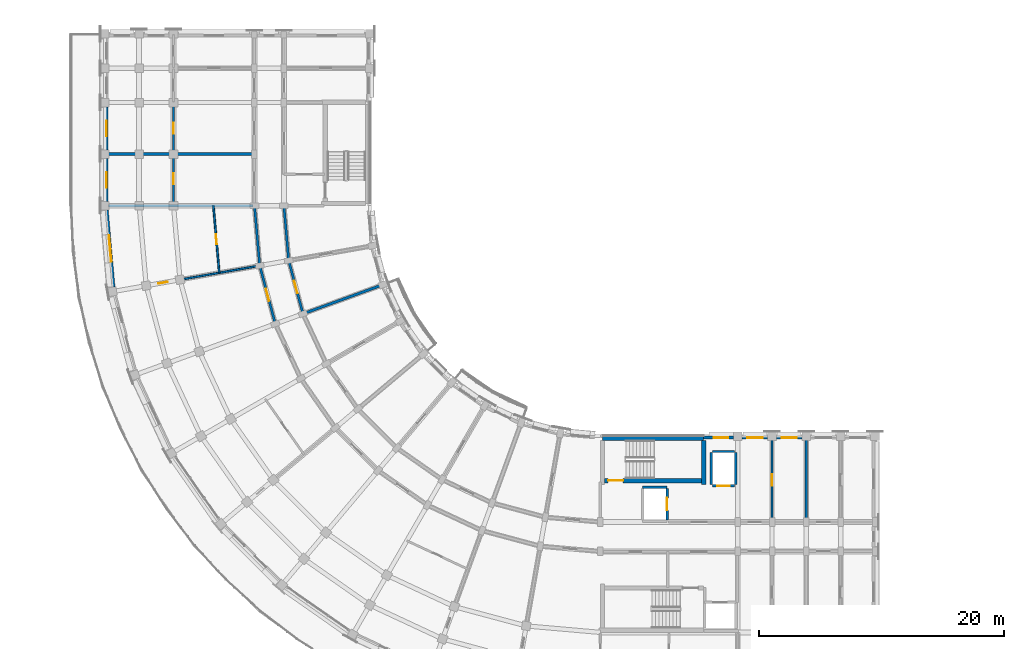
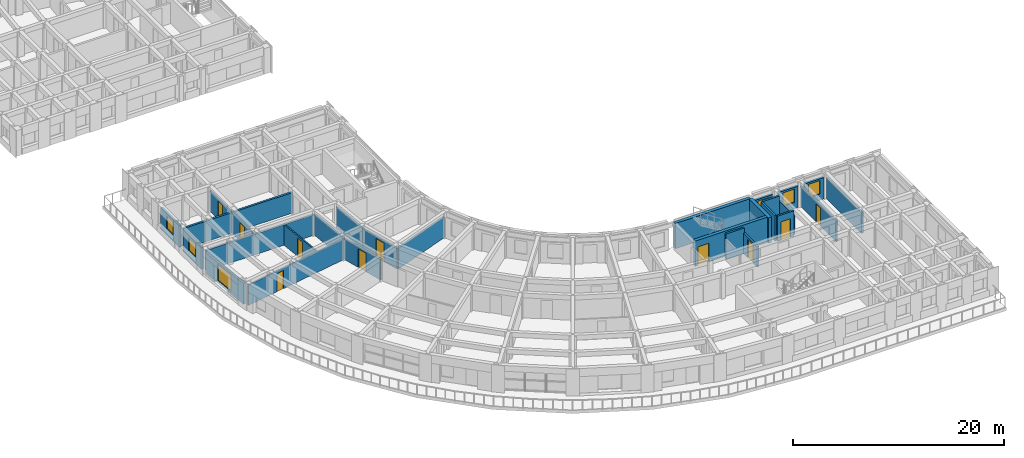
# One storey, part 20 of 57: 28 walls, 10 doors, 6 windows, 16 openings.
"""IFC4 building model written with IfcOpenShell, lengths in metres."""

import ifcopenshell
import ifcopenshell.guid

model = None  # the IFC model being written
_history = None  # IfcOwnerHistory: only IFC2X3 demands one
_inside = {}  # id of a spatial element -> (the spatial element, [elements in it])
_under = {}  # id of a project, library or spatial element -> (it, [spatial elements below it])
_declared = {}  # id of a project -> (the project, [libraries it declares])
_typed = {}  # id of a type object -> (the type object, [elements of that type])
_made_of = {}  # id of a material, layer set ... -> (it, [elements and type objects made of it])


def new_model(schema):
    """Start an empty IFC model of exactly this schema.

    Asked for "IFC4X3", IfcOpenShell would pick the latest addendum, in which some entities
    have other attributes; the version numbers below select the first issue.
    IFC2X3 requires an IfcOwnerHistory on every rooted entity: one is made here for all.
    """
    global model, _history
    if schema == "IFC4X3":
        model = ifcopenshell.file(schema_version=(4, 3, 0, 0))
    else:
        model = ifcopenshell.file(schema=schema)
    _inside.clear()
    _under.clear()
    _declared.clear()
    _typed.clear()
    _made_of.clear()
    _history = None
    if model.schema == "IFC2X3":
        org = make("IfcOrganization", Name="unknown")
        user = make(
            "IfcPersonAndOrganization",
            ThePerson=make("IfcPerson", FamilyName="unknown"),
            TheOrganization=org,
        )
        app = make(
            "IfcApplication",
            ApplicationDeveloper=org,
            Version="unknown",
            ApplicationFullName="unknown",
            ApplicationIdentifier="unknown",
        )
        _history = make(
            "IfcOwnerHistory",
            OwningUser=user,
            OwningApplication=app,
            ChangeAction="ADDED",
            CreationDate=0,
        )
    return model


def make(cls, **values):
    """One entity of the class cls with the attributes given. An attribute that is None is left unset."""
    return model.create_entity(
        cls, **{name: value for name, value in values.items() if value is not None}
    )


def rooted(cls, **values):
    """An entity with a GlobalId (a new one), such as an element, a storey or a relation."""
    return make(cls, GlobalId=ifcopenshell.guid.new(), OwnerHistory=_history, **values)


def si_unit(unit_type, name, prefix=None):
    """IfcSIUnit, for example si_unit("LENGTHUNIT", "METRE", prefix="MILLI")."""
    return make("IfcSIUnit", UnitType=unit_type, Prefix=prefix, Name=name)


def assignment(units):
    """IfcUnitAssignment: the units of a project."""
    return None if units is None else make("IfcUnitAssignment", Units=units)


def point(xyz):
    """IfcCartesianPoint."""
    return None if xyz is None else make("IfcCartesianPoint", Coordinates=xyz)


def direction(xyz):
    """IfcDirection."""
    return None if xyz is None else make("IfcDirection", DirectionRatios=xyz)


def frame(location, z_axis=None, x_axis=None):
    """IfcAxis2Placement3D, a coordinate frame: its origin and axes. An axis left out is left unset."""
    return make(
        "IfcAxis2Placement3D",
        Location=point(location),
        Axis=direction(z_axis),
        RefDirection=direction(x_axis),
    )


def frame_2d(location, x_axis=None):
    """IfcAxis2Placement2D, a coordinate frame in the plane: its origin and x axis."""
    return make(
        "IfcAxis2Placement2D", Location=point(location), RefDirection=direction(x_axis)
    )


def origin():
    """The frame at (0, 0, 0) with its axes left unset."""
    return frame((0.0, 0.0, 0.0))


def place(relative_to, where):
    """IfcLocalPlacement: puts the frame where relative to a parent placement (None: the world)."""
    return make(
        "IfcLocalPlacement", PlacementRelTo=relative_to, RelativePlacement=where
    )


def context(
    kind, dimensions, precision=None, world=None, true_north=None, identifier=None
):
    """IfcGeometricRepresentationContext, for example the 3D "Model" context."""
    return make(
        "IfcGeometricRepresentationContext",
        ContextIdentifier=identifier,
        ContextType=kind,
        CoordinateSpaceDimension=dimensions,
        Precision=precision,
        WorldCoordinateSystem=world,
        TrueNorth=true_north,
    )


def subcontext(parent, identifier, kind, view, scale=None):
    """IfcGeometricRepresentationSubContext, for example "Body" below "Model"."""
    return make(
        "IfcGeometricRepresentationSubContext",
        ContextIdentifier=identifier,
        ContextType=kind,
        ParentContext=parent,
        TargetScale=scale,
        TargetView=view,
    )


def project(units=None, contexts=None):
    """IfcProject with its units and contexts."""
    return rooted(
        "IfcProject",
        Name="project",
        RepresentationContexts=contexts,
        UnitsInContext=assignment(units),
    )


def spatial(cls, under=None, at=None, **own):
    """A site, building, storey or space (cls), placed at a placement, below another one or the project."""
    s = rooted(cls, ObjectPlacement=at, **own)
    if under is not None:
        _under.setdefault(under.id(), (under, []))[1].append(s)
    return s


def profile(cls, at=None, kind="AREA", **sizes):
    """A parametric profile (cls). Its sizes go by their IFC names, for example OverallWidth=200.0."""
    return make(cls, ProfileType=kind, Position=at, **sizes)


def rectangle(**sizes):
    """IfcRectangleProfileDef."""
    return profile("IfcRectangleProfileDef", **sizes)


def extrude(swept, where, along, depth):
    """IfcExtrudedAreaSolid: the profile swept, set in the frame where, extruded along a direction by depth."""
    return make(
        "IfcExtrudedAreaSolid",
        SweptArea=swept,
        Position=where,
        ExtrudedDirection=direction(along),
        Depth=depth,
    )


def shape(context_of_items, identifier, shape_type, items):
    """IfcShapeRepresentation: the items that make up one representation, for example the "Body"."""
    return make(
        "IfcShapeRepresentation",
        ContextOfItems=context_of_items,
        RepresentationIdentifier=identifier,
        RepresentationType=shape_type,
        Items=items,
    )


def material(Name=None, Category=None):
    """IfcMaterial."""
    return make("IfcMaterial", Name=Name, Category=Category)


def layer(
    of_material, thickness, ventilated=None, Name=None, Category=None, Priority=None
):
    """IfcMaterialLayer: one layer of a wall or slab, of a material (None: an air gap)."""
    return make(
        "IfcMaterialLayer",
        Material=of_material,
        LayerThickness=thickness,
        IsVentilated=ventilated,
        Name=Name,
        Category=Category,
        Priority=Priority,
    )


def layer_set(layers, Name=None):
    """IfcMaterialLayerSet."""
    return make("IfcMaterialLayerSet", MaterialLayers=layers, LayerSetName=Name)


def made_of(thing, what):
    """Note that an element or type object is made of a material, layer set ...; save() writes the relation."""
    if what is not None:
        _made_of.setdefault(what.id(), (what, []))[1].append(thing)
    return thing


def type_object(cls, material=None, **own):
    """A type object (cls), such as IfcWallType, which elements share."""
    return made_of(rooted(cls, **own), material)


def element(
    cls,
    number,
    at=None,
    inside=None,
    cuts=None,
    type_object=None,
    material=None,
    context=None,
    identifier="Body",
    shape_type=None,
    held_by="IfcProductDefinitionShape",
    body=None,
    shapes=None,
    **own,
):
    """One element of the class cls, such as IfcWall. Its Tag is "e" and its number.

    at: its placement. inside: the storey or other place that contains it. cuts: it is an
    opening in that element (IfcRelVoidsElement). A single representation is given by context,
    identifier, shape_type and body (its items); several are given by shapes. held_by: the class
    of the entity that holds the representations. save() writes the other relations.
    """
    e = rooted(cls, Tag="e%d" % number, ObjectPlacement=at, **own)
    if body is not None:
        shapes = [shape(context, identifier, shape_type, body)]
    if shapes is not None:
        e.Representation = make(held_by, Representations=shapes)
    if inside is not None:
        _inside.setdefault(inside.id(), (inside, []))[1].append(e)
    if cuts is not None:
        rooted(
            "IfcRelVoidsElement", RelatingBuildingElement=cuts, RelatedOpeningElement=e
        )
    if type_object is not None:
        _typed.setdefault(type_object.id(), (type_object, []))[1].append(e)
    return made_of(e, material)


def fill(opening, filler):
    """IfcRelFillsElement: the door or window that sits in an opening."""
    return rooted(
        "IfcRelFillsElement",
        RelatingOpeningElement=opening,
        RelatedBuildingElement=filler,
    )


def aggregate(whole, parts):
    """IfcRelAggregates: a whole, such as a stair, and the parts it consists of."""
    return rooted("IfcRelAggregates", RelatingObject=whole, RelatedObjects=parts)


def save(model, path):
    """Write the relations noted so far, then the file.

    IfcRelAggregates (storeys below a building ...), IfcRelContainedInSpatialStructure (elements
    in a storey), IfcRelDefinesByType, IfcRelAssociatesMaterial and IfcRelDeclares: one each for
    every whole, place, type object, material and project.
    """
    for whole, parts in _under.values():
        aggregate(whole, parts)
    for where, things in _inside.values():
        rooted(
            "IfcRelContainedInSpatialStructure",
            RelatedElements=things,
            RelatingStructure=where,
        )
    for kind, things in _typed.values():
        rooted("IfcRelDefinesByType", RelatedObjects=things, RelatingType=kind)
    for what, things in _made_of.values():
        rooted("IfcRelAssociatesMaterial", RelatedObjects=things, RelatingMaterial=what)
    for by, libraries in _declared.values():
        rooted("IfcRelDeclares", RelatingContext=by, RelatedDefinitions=libraries)
    model.write(path)


model = new_model("IFC4")

# Units and contexts
model_context = context("Model", 3, precision=1e-05, world=origin(), true_north=direction((0.0, 1.0)))
body_context = subcontext(model_context, "Body", "Model", "MODEL_VIEW")
ifc_project = project(units=[si_unit("LENGTHUNIT", "METRE"), si_unit("AREAUNIT", "SQUARE_METRE"), si_unit("VOLUMEUNIT", "CUBIC_METRE"), si_unit("PLANEANGLEUNIT", "RADIAN"), si_unit("MASSUNIT", "GRAM", prefix="KILO")], contexts=[model_context])

# Site, building, storey
site_placement = place(None, origin())
site = spatial("IfcSite", under=ifc_project, at=site_placement, CompositionType="ELEMENT")
building_placement = place(site_placement, origin())
building = spatial("IfcBuilding", under=site, at=building_placement, Name="Kiranvali Square Residences", CompositionType="ELEMENT")
storey_placement = place(building_placement, frame((0.0, 0.0, 24.449951171875)))
storey = spatial("IfcBuildingStorey", under=building, at=storey_placement, Name="L07", CompositionType="ELEMENT", Elevation=24.449951171875)

# Wall, opening, door
ifc_material_1 = material(Name="Autoclaved aerated concrete blockwork masonry", Category="masonry")
ifc_layer_1 = layer(ifc_material_1, 0.199951171875)
ifc_layer_set_1 = layer_set([ifc_layer_1], Name="Autoclaved aerated concrete blockwork masonry")
wall_type_1 = type_object("IfcWallType", Name="WL-COR-200", PredefinedType="STANDARD", material=ifc_layer_set_1)
wall_1_placement = place(storey_placement, frame((23.955810546875, 39.3759765625, 0.0), z_axis=(0.0, 0.0, 1.0), x_axis=(-0.258787642463, 0.965934240054, 0.0)))
wall_1 = element("IfcWall", 1, at=wall_1_placement, inside=storey, type_object=wall_type_1, Name="L07 architectural wall WL-L07-C-CCI-7", PredefinedType="STANDARD", context=body_context, shape_type="SweptSolid", body=[
    extrude(rectangle(XDim=4.497314453125, YDim=0.199951171875, at=frame_2d((2.24853515625, 0.0))), origin(), (0.0, 0.0, 1.0), 2.3720703125),
])
opening_1_placement = place(wall_1_placement, frame((1.728515625, 0.0, 0.0)))
opening_1 = element("IfcOpeningElement", 2, at=opening_1_placement, cuts=wall_1, Name="Opening FD-APT-60B", PredefinedType="OPENING", context=body_context, shape_type="SweptSolid", body=[
    extrude(rectangle(XDim=1.0400390625, YDim=2.14990234375, at=frame_2d((0.52001953125, 1.074951171875))), frame((0.0, 0.10986328125, 0.0), z_axis=(0.0, -1.0, 0.0), x_axis=(1.0, 0.0, 0.0)), (0.0, 0.0, 1.0), 0.219970703125),
])
ifc_material_2 = material(Name="Fire-rated acoustic hardwood and mineral-core door assembly", Category="wood")
door_type_1 = type_object("IfcDoorType", Name="DR-APT-1040", OperationType="NOTDEFINED", PredefinedType="DOOR", material=ifc_material_2)
door_1_placement = place(opening_1_placement, frame((1.0400390625, 0.0, 0.0), z_axis=(0.0, 0.0, 1.0), x_axis=(-1.0, 0.0, 0.0)))
door_1 = element("IfcDoor", 3, at=door_1_placement, inside=storey, type_object=door_type_1, Name="L07 door DR-L07-2188 (DR-APT-1040)", OperationType="SINGLE_SWING_RIGHT", OverallHeight=2.14990234375, OverallWidth=1.0400390625, PredefinedType="DOOR", context=body_context, shape_type="SweptSolid", body=[
    extrude(rectangle(XDim=1.0400390625, YDim=2.14990234375, at=frame_2d((0.52001953125, 1.074951171875))), frame((0.0, 0.02490234375, 0.0), z_axis=(0.0, -1.0, 0.0), x_axis=(1.0, 0.0, 0.0)), (0.0, 0.0, 1.0), 0.050048828125),
])
fill(opening_1, door_1)

wall_2_placement = place(storey_placement, frame((21.70068359375, 38.554931640625, 0.0), z_axis=(0.0, 0.0, 1.0), x_axis=(-0.258803112091, 0.965930095386, 0.0)))
wall_2 = element("IfcWall", 4, at=wall_2_placement, inside=storey, type_object=wall_type_1, Name="L07 architectural wall WL-L07-C-CCO-7", PredefinedType="STANDARD", context=body_context, shape_type="SweptSolid", body=[
    extrude(rectangle(XDim=4.915771484375, YDim=0.199951171875, at=frame_2d((2.4580078125, 0.0))), origin(), (0.0, 0.0, 1.0), 2.3720703125),
])
opening_2_placement = place(wall_2_placement, frame((1.937744140625, 0.0, 0.0)))
opening_2 = element("IfcOpeningElement", 5, at=opening_2_placement, cuts=wall_2, Name="Opening FD-APT-60B", PredefinedType="OPENING", context=body_context, shape_type="SweptSolid", body=[
    extrude(rectangle(XDim=1.0400390625, YDim=2.14990234375, at=frame_2d((0.52001953125, 1.074951171875))), frame((0.0, 0.10986328125, 0.0), z_axis=(0.0, -1.0, 0.0), x_axis=(1.0, 0.0, 0.0)), (0.0, 0.0, 1.0), 0.219970703125),
])
door_2_placement = place(opening_2_placement, origin())
door_2 = element("IfcDoor", 6, at=door_2_placement, inside=storey, type_object=door_type_1, Name="L07 door DR-L07-2183 (DR-APT-1040)", OperationType="SINGLE_SWING_LEFT", OverallHeight=2.14990234375, OverallWidth=1.0400390625, PredefinedType="DOOR", context=body_context, shape_type="SweptSolid", body=[
    extrude(rectangle(XDim=1.0400390625, YDim=2.14990234375, at=frame_2d((0.52001953125, 1.074951171875))), frame((0.0, 0.02490234375, 0.0), z_axis=(0.0, -1.0, 0.0), x_axis=(1.0, 0.0, 0.0)), (0.0, 0.0, 1.0), 0.050048828125),
])
fill(opening_2, door_2)

# Walls
wall_3_placement = place(storey_placement, frame((22.7919921875, 43.719970703125, 0.0), z_axis=(0.0, 0.0, 1.0), x_axis=(-0.087187153726, 0.996191949488, 0.0)))
element("IfcWall", 7, at=wall_3_placement, inside=storey, type_object=wall_type_1, Name="L07 architectural wall WL-L07-C-CCI-8", PredefinedType="STANDARD", context=body_context, shape_type="SweptSolid", body=[
    extrude(rectangle(XDim=4.4970703125, YDim=0.199951171875, at=frame_2d((2.24853515625, 0.0))), origin(), (0.0, 0.0, 1.0), 2.3720703125),
])
wall_4_placement = place(storey_placement, frame((20.428466796875, 43.30322265625, 0.0), z_axis=(0.0, 0.0, 1.0), x_axis=(-0.087167566415, 0.996193663584, 0.0)))
element("IfcWall", 8, at=wall_4_placement, inside=storey, type_object=wall_type_1, Name="L07 architectural wall WL-L07-C-CCO-8", PredefinedType="STANDARD", context=body_context, shape_type="SweptSolid", body=[
    extrude(rectangle(XDim=4.91552734375, YDim=0.199951171875, at=frame_2d((2.457763671875, 0.0))), origin(), (0.0, 0.0, 1.0), 2.3720703125),
])
ifc_layer_2 = layer(ifc_material_1, 0.219970703125)
ifc_layer_set_2 = layer_set([ifc_layer_2], Name="Autoclaved aerated concrete blockwork masonry")
wall_type_2 = type_object("IfcWallType", Name="WL-DEM-220", PredefinedType="STANDARD", material=ifc_layer_set_2)
for number, where, z_axis, x_axis, name in (
    (9, (65.0, 29.199951171875, 0.0), (0.0, 0.0, 1.0), (0.0, -1.0, 0.0), "L07 architectural wall WL-L07-C-A1TI-2"),
    (10, (30.345947265625, 41.70166015625, 0.0), (0.0, 0.0, 1.0), (-0.939696231917, -0.342010221662, 0.0), "L07 architectural wall WL-L07-C-RADI-7"),
):
    element("IfcWall", number, at=place(storey_placement, frame(where, z_axis=z_axis, x_axis=x_axis)), inside=storey, type_object=wall_type_2, Name=name, PredefinedType="STANDARD", context=body_context, shape_type="SweptSolid", body=[
        extrude(rectangle(XDim=6.75, YDim=0.219970703125, at=frame_2d((3.375, 0.0))), origin(), (0.0, 0.0, 1.0), 2.3720703125),
    ])
wall_5_placement = place(storey_placement, frame((19.89990234375, 48.199951171875, 0.0), z_axis=(0.0, 0.0, 1.0), x_axis=(-1.0, 0.0, 0.0)))
element("IfcWall", 11, at=wall_5_placement, inside=storey, type_object=wall_type_2, Name="L07 architectural wall WL-L07-C-RADO-9", PredefinedType="STANDARD", context=body_context, shape_type="SweptSolid", body=[
    extrude(rectangle(XDim=11.81982421875, YDim=0.219970703125, at=frame_2d((5.909912109375, 0.0))), origin(), (0.0, 0.0, 1.0), 2.3720703125),
])
wall_6_placement = place(storey_placement, frame((19.949951171875, 52.39990234375, 0.0), z_axis=(0.0, 0.0, 1.0), x_axis=(-1.0, 0.0, 0.0)))
element("IfcWall", 12, at=wall_6_placement, inside=storey, type_object=wall_type_2, Name="L07 architectural wall WL-L07-C-A2CF-MID", PredefinedType="STANDARD", context=body_context, shape_type="SweptSolid", body=[
    extrude(rectangle(XDim=11.929931640625, YDim=0.219970703125, at=frame_2d((5.96484375, 0.0))), origin(), (0.0, 0.0, 1.0), 2.3720703125),
])

# Wall, opening, window
ifc_material_3 = material(Name="Breathable lime-rendered clay brick masonry", Category="masonry")
ifc_layer_3 = layer(ifc_material_3, 0.25)
ifc_layer_set_3 = layer_set([ifc_layer_3], Name="Breathable lime-rendered clay brick masonry")
wall_type_3 = type_object("IfcWallType", Name="WL-EXT-250", PredefinedType="STANDARD", material=ifc_layer_set_3)
wall_7_placement = place(storey_placement, frame((8.505615234375, 41.56982421875, 0.0), z_axis=(0.0, 0.0, 1.0), x_axis=(-0.087168876072, 0.996193548987, 0.0)))
wall_7 = element("IfcWall", 13, at=wall_7_placement, inside=storey, type_object=wall_type_3, Name="L07 exterior wall C-L07-CRV-08", PredefinedType="STANDARD", context=body_context, shape_type="SweptSolid", body=[
    extrude(rectangle(XDim=6.29052734375, YDim=0.25, at=frame_2d((3.145263671875, 0.0))), origin(), (0.0, 0.0, 1.0), 2.412109375),
])
opening_3_placement = place(wall_7_placement, frame((2.045166015625, 0.0, 0.31201171875)))
opening_3 = element("IfcOpeningElement", 14, at=opening_3_placement, cuts=wall_7, Name="Opening W-20", PredefinedType="OPENING", context=body_context, shape_type="SweptSolid", body=[
    extrude(rectangle(XDim=2.199951171875, YDim=1.89990234375, at=frame_2d((1.10009765625, 0.949951171875))), frame((0.0, 0.135009765625, 0.0), z_axis=(0.0, -1.0, 0.0), x_axis=(1.0, 0.0, 0.0)), (0.0, 0.0, 1.0), 0.27001953125),
])
ifc_material_4 = material(Name="Solar-control low-e double glazing", Category="glass")
window_type_1 = type_object("IfcWindowType", Name="WIN-TER-2200x1900", PartitioningType="TRIPLE_PANEL_VERTICAL", PredefinedType="WINDOW", material=ifc_material_4)
window_1_placement = place(opening_3_placement, origin())
window_1 = element("IfcWindow", 15, at=window_1_placement, inside=storey, type_object=window_type_1, Name="L07 recessed window C-L07-CRV-08", OverallHeight=1.89990234375, OverallWidth=2.199951171875, PartitioningType="TRIPLE_PANEL_VERTICAL", PredefinedType="WINDOW", context=body_context, shape_type="SweptSolid", body=[
    extrude(rectangle(XDim=2.199951171875, YDim=1.89990234375, at=frame_2d((1.10009765625, 0.949951171875))), frame((0.0, 0.030029296875, 0.0), z_axis=(0.0, -1.0, 0.0), x_axis=(1.0, 0.0, 0.0)), (0.0, 0.0, 1.0), 0.06005859375),
])
fill(opening_3, window_1)

wall_8_placement = place(storey_placement, frame((56.62841796875, 29.27490234375, 0.0), z_axis=(0.0, 0.0, 1.0), x_axis=(1.0, 0.0, 0.0)))
wall_8 = element("IfcWall", 16, at=wall_8_placement, inside=storey, type_object=wall_type_3, Name="L07 exterior wall C-L07-A1IN-0", PredefinedType="STANDARD", context=body_context, shape_type="SweptSolid", body=[
    extrude(rectangle(XDim=2.421630859375, YDim=0.25, at=frame_2d((1.2109375, 0.0))), origin(), (0.0, 0.0, 1.0), 2.47216796875),
])
opening_4_placement = place(wall_8_placement, frame((0.821533203125, 0.0, 0.77197265625)))
opening_4 = element("IfcOpeningElement", 17, at=opening_4_placement, cuts=wall_8, Name="Opening W-06", PredefinedType="OPENING", context=body_context, shape_type="SweptSolid", body=[
    extrude(rectangle(XDim=1.199951171875, YDim=1.5, at=frame_2d((0.60009765625, 0.75))), frame((0.0, 0.135009765625, 0.0), z_axis=(0.0, -1.0, 0.0), x_axis=(1.0, 0.0, 0.0)), (0.0, 0.0, 1.0), 0.27001953125),
])
window_type_2 = type_object("IfcWindowType", Name="WIN-RES-1200x1500", PartitioningType="SINGLE_PANEL", PredefinedType="WINDOW", material=ifc_material_4)
window_2_placement = place(opening_4_placement, origin())
window_2 = element("IfcWindow", 18, at=window_2_placement, inside=storey, type_object=window_type_2, Name="L07 recessed window C-L07-A1IN-0", OverallHeight=1.5, OverallWidth=1.199951171875, PartitioningType="SINGLE_PANEL", PredefinedType="WINDOW", context=body_context, shape_type="SweptSolid", body=[
    extrude(rectangle(XDim=1.199951171875, YDim=1.5, at=frame_2d((0.60009765625, 0.75))), frame((0.0, 0.030029296875, 0.0), z_axis=(0.0, -1.0, 0.0), x_axis=(1.0, 0.0, 0.0)), (0.0, 0.0, 1.0), 0.06005859375),
])
fill(opening_4, window_2)

wall_9_placement = place(storey_placement, frame((59.75341796875, 29.27490234375, 0.0), z_axis=(0.0, 0.0, 1.0), x_axis=(1.0, 0.0, 0.0)))
wall_9 = element("IfcWall", 19, at=wall_9_placement, inside=storey, type_object=wall_type_3, Name="L07 exterior wall C-L07-A1I-0", PredefinedType="STANDARD", context=body_context, shape_type="SweptSolid", body=[
    extrude(rectangle(XDim=2.093017578125, YDim=0.25, at=frame_2d((1.04638671875, 0.0))), origin(), (0.0, 0.0, 1.0), 2.47216796875),
])
opening_5_placement = place(wall_9_placement, frame((0.42138671875, 0.0, 0.721923828125)))
opening_5 = element("IfcOpeningElement", 20, at=opening_5_placement, cuts=wall_9, Name="Opening W-19", PredefinedType="OPENING", context=body_context, shape_type="SweptSolid", body=[
    extrude(rectangle(XDim=1.25, YDim=1.550048828125, at=frame_2d((0.625, 0.77490234375))), frame((0.0, 0.135009765625, 0.0), z_axis=(0.0, -1.0, 0.0), x_axis=(1.0, 0.0, 0.0)), (0.0, 0.0, 1.0), 0.27001953125),
])
window_type_3 = type_object("IfcWindowType", Name="WIN-GDN-1250x1550", PartitioningType="SINGLE_PANEL", PredefinedType="WINDOW", material=ifc_material_4)
window_3_placement = place(opening_5_placement, origin())
window_3 = element("IfcWindow", 21, at=window_3_placement, inside=storey, type_object=window_type_3, Name="L07 recessed window C-L07-A1I-0", OverallHeight=1.550048828125, OverallWidth=1.25, PartitioningType="SINGLE_PANEL", PredefinedType="WINDOW", context=body_context, shape_type="SweptSolid", body=[
    extrude(rectangle(XDim=1.25, YDim=1.550048828125, at=frame_2d((0.625, 0.77490234375))), frame((0.0, 0.030029296875, 0.0), z_axis=(0.0, -1.0, 0.0), x_axis=(1.0, 0.0, 0.0)), (0.0, 0.0, 1.0), 0.06005859375),
])
fill(opening_5, window_3)

wall_10_placement = place(storey_placement, frame((62.553466796875, 29.27490234375, 0.0), z_axis=(0.0, 0.0, 1.0), x_axis=(1.0, 0.0, 0.0)))
wall_10 = element("IfcWall", 22, at=wall_10_placement, inside=storey, type_object=wall_type_3, Name="L07 exterior wall C-L07-A1I-1", PredefinedType="STANDARD", context=body_context, shape_type="SweptSolid", body=[
    extrude(rectangle(XDim=2.093017578125, YDim=0.25, at=frame_2d((1.04638671875, 0.0))), origin(), (0.0, 0.0, 1.0), 2.47216796875),
])
opening_6_placement = place(wall_10_placement, frame((0.42138671875, 0.0, 0.721923828125)))
opening_6 = element("IfcOpeningElement", 23, at=opening_6_placement, cuts=wall_10, Name="Opening W-19", PredefinedType="OPENING", context=body_context, shape_type="SweptSolid", body=[
    extrude(rectangle(XDim=1.25, YDim=1.550048828125, at=frame_2d((0.625, 0.77490234375))), frame((0.0, 0.135009765625, 0.0), z_axis=(0.0, -1.0, 0.0), x_axis=(1.0, 0.0, 0.0)), (0.0, 0.0, 1.0), 0.27001953125),
])
window_4_placement = place(opening_6_placement, origin())
window_4 = element("IfcWindow", 24, at=window_4_placement, inside=storey, type_object=window_type_3, Name="L07 recessed window C-L07-A1I-1", OverallHeight=1.550048828125, OverallWidth=1.25, PartitioningType="SINGLE_PANEL", PredefinedType="WINDOW", context=body_context, shape_type="SweptSolid", body=[
    extrude(rectangle(XDim=1.25, YDim=1.550048828125, at=frame_2d((0.625, 0.77490234375))), frame((0.0, 0.030029296875, 0.0), z_axis=(0.0, -1.0, 0.0), x_axis=(1.0, 0.0, 0.0)), (0.0, 0.0, 1.0), 0.06005859375),
])
fill(opening_6, window_4)

wall_11_placement = place(storey_placement, frame((7.925048828125, 48.553466796875, 0.0), z_axis=(0.0, 0.0, 1.0), x_axis=(0.0, 1.0, 0.0)))
wall_11 = element("IfcWall", 25, at=wall_11_placement, inside=storey, type_object=wall_type_3, Name="L07 exterior wall C-L07-A2O-0", PredefinedType="STANDARD", context=body_context, shape_type="SweptSolid", body=[
    extrude(rectangle(XDim=3.492919921875, YDim=0.25, at=frame_2d((1.74658203125, 0.0))), origin(), (0.0, 0.0, 1.0), 2.47998046875),
])
opening_7_placement = place(wall_11_placement, frame((1.12158203125, 0.0, 0.72998046875)))
opening_7 = element("IfcOpeningElement", 26, at=opening_7_placement, cuts=wall_11, Name="Opening W-19", PredefinedType="OPENING", context=body_context, shape_type="SweptSolid", body=[
    extrude(rectangle(XDim=1.25, YDim=1.550048828125, at=frame_2d((0.625, 0.77490234375))), frame((0.0, 0.135009765625, 0.0), z_axis=(0.0, -1.0, 0.0), x_axis=(1.0, 0.0, 0.0)), (0.0, 0.0, 1.0), 0.27001953125),
])
window_5_placement = place(opening_7_placement, origin())
window_5 = element("IfcWindow", 27, at=window_5_placement, inside=storey, type_object=window_type_3, Name="L07 recessed window C-L07-A2O-0", OverallHeight=1.550048828125, OverallWidth=1.25, PartitioningType="SINGLE_PANEL", PredefinedType="WINDOW", context=body_context, shape_type="SweptSolid", body=[
    extrude(rectangle(XDim=1.25, YDim=1.550048828125, at=frame_2d((0.625, 0.77490234375))), frame((0.0, 0.030029296875, 0.0), z_axis=(0.0, -1.0, 0.0), x_axis=(1.0, 0.0, 0.0)), (0.0, 0.0, 1.0), 0.06005859375),
])
fill(opening_7, window_5)

wall_12_placement = place(storey_placement, frame((7.925048828125, 52.75341796875, 0.0), z_axis=(0.0, 0.0, 1.0), x_axis=(0.0, 1.0, 0.0)))
wall_12 = element("IfcWall", 28, at=wall_12_placement, inside=storey, type_object=wall_type_3, Name="L07 exterior wall C-L07-A2O-1", PredefinedType="STANDARD", context=body_context, shape_type="SweptSolid", body=[
    extrude(rectangle(XDim=3.4931640625, YDim=0.25, at=frame_2d((1.74658203125, 0.0))), origin(), (0.0, 0.0, 1.0), 2.47998046875),
])
opening_8_placement = place(wall_12_placement, frame((1.12158203125, 0.0, 0.72998046875)))
opening_8 = element("IfcOpeningElement", 29, at=opening_8_placement, cuts=wall_12, Name="Opening W-19", PredefinedType="OPENING", context=body_context, shape_type="SweptSolid", body=[
    extrude(rectangle(XDim=1.25, YDim=1.550048828125, at=frame_2d((0.625, 0.77490234375))), frame((0.0, 0.135009765625, 0.0), z_axis=(0.0, -1.0, 0.0), x_axis=(1.0, 0.0, 0.0)), (0.0, 0.0, 1.0), 0.27001953125),
])
window_6_placement = place(opening_8_placement, origin())
window_6 = element("IfcWindow", 30, at=window_6_placement, inside=storey, type_object=window_type_3, Name="L07 recessed window C-L07-A2O-1", OverallHeight=1.550048828125, OverallWidth=1.25, PartitioningType="SINGLE_PANEL", PredefinedType="WINDOW", context=body_context, shape_type="SweptSolid", body=[
    extrude(rectangle(XDim=1.25, YDim=1.550048828125, at=frame_2d((0.625, 0.77490234375))), frame((0.0, 0.030029296875, 0.0), z_axis=(0.0, -1.0, 0.0), x_axis=(1.0, 0.0, 0.0)), (0.0, 0.0, 1.0), 0.06005859375),
])
fill(opening_8, window_6)

# Wall, opening, door
ifc_material_5 = material(Name="Acoustic gypsum board drylined partition", Category="gypsum")
ifc_layer_4 = layer(ifc_material_5, 0.14990234375)
ifc_layer_set_4 = layer_set([ifc_layer_4], Name="Acoustic gypsum board drylined partition")
wall_type_4 = type_object("IfcWallType", Name="WL-PRT-150", PredefinedType="PARTITIONING", material=ifc_layer_set_4)
wall_13_placement = place(storey_placement, frame((62.199951171875, 29.199951171875, 0.0), z_axis=(0.0, 0.0, 1.0), x_axis=(0.0, -1.0, 0.0)))
wall_13 = element("IfcWall", 31, at=wall_13_placement, inside=storey, type_object=wall_type_4, Name="L07 architectural wall WL-L07-C-A1TI-1", PredefinedType="PARTITIONING", context=body_context, shape_type="SweptSolid", body=[
    extrude(rectangle(XDim=6.75, YDim=0.14990234375, at=frame_2d((3.375, 0.0))), origin(), (0.0, 0.0, 1.0), 2.3720703125),
])
opening_9_placement = place(wall_13_placement, frame((2.925048828125, 0.0, 0.0)))
opening_9 = element("IfcOpeningElement", 32, at=opening_9_placement, cuts=wall_13, Name="Opening ID-1", PredefinedType="OPENING", context=body_context, shape_type="SweptSolid", body=[
    extrude(rectangle(XDim=0.89990234375, YDim=2.10009765625, at=frame_2d((0.449951171875, 1.050048828125))), frame((0.0, 0.0849609375, 0.0), z_axis=(0.0, -1.0, 0.0), x_axis=(1.0, 0.0, 0.0)), (0.0, 0.0, 1.0), 0.169921875),
])
ifc_material_6 = material(Name="Solid seasoned teak hardwood joinery", Category="wood")
door_type_2 = type_object("IfcDoorType", Name="DR-INT-900", OperationType="NOTDEFINED", PredefinedType="DOOR", material=ifc_material_6)
door_3_placement = place(opening_9_placement, origin())
door_3 = element("IfcDoor", 33, at=door_3_placement, inside=storey, type_object=door_type_2, Name="L07 door DR-L07-2161 (DR-INT-900)", OperationType="SINGLE_SWING_LEFT", OverallHeight=2.10009765625, OverallWidth=0.89990234375, PredefinedType="DOOR", context=body_context, shape_type="SweptSolid", body=[
    extrude(rectangle(XDim=0.89990234375, YDim=2.10009765625, at=frame_2d((0.449951171875, 1.050048828125))), frame((0.0, 0.02490234375, 0.0), z_axis=(0.0, -1.0, 0.0), x_axis=(1.0, 0.0, 0.0)), (0.0, 0.0, 1.0), 0.050048828125),
])
fill(opening_9, door_3)

wall_14_placement = place(storey_placement, frame((20.329833984375, 43.28564453125, 0.0), z_axis=(0.0, 0.0, 1.0), x_axis=(-0.984808085438, -0.173646292378, 0.0)))
wall_14 = element("IfcWall", 34, at=wall_14_placement, inside=storey, type_object=wall_type_4, Name="L07 architectural wall WL-L07-C-RADO-8", PredefinedType="PARTITIONING", context=body_context, shape_type="SweptSolid", body=[
    extrude(rectangle(XDim=11.820068359375, YDim=0.14990234375, at=frame_2d((5.91015625, 0.0))), origin(), (0.0, 0.0, 1.0), 2.3720703125),
])
opening_10_placement = place(wall_14_placement, frame((7.50048828125, 0.0, 0.0)))
opening_10 = element("IfcOpeningElement", 35, at=opening_10_placement, cuts=wall_14, Name="Opening ID-WET", PredefinedType="OPENING", context=body_context, shape_type="SweptSolid", body=[
    extrude(rectangle(XDim=0.800048828125, YDim=2.10009765625, at=frame_2d((0.39990234375, 1.050048828125))), frame((0.0, 0.0849609375, 0.0), z_axis=(0.0, -1.0, 0.0), x_axis=(1.0, 0.0, 0.0)), (0.0, 0.0, 1.0), 0.169921875),
])
door_type_3 = type_object("IfcDoorType", Name="DR-WET-800", OperationType="NOTDEFINED", PredefinedType="DOOR", material=ifc_material_6)
door_4_placement = place(opening_10_placement, frame((0.800048828125, 0.0, 0.0), z_axis=(0.0, 0.0, 1.0), x_axis=(-1.0, 0.0, 0.0)))
door_4 = element("IfcDoor", 36, at=door_4_placement, inside=storey, type_object=door_type_3, Name="L07 door DR-L07-2176 (DR-WET-800)", OperationType="SINGLE_SWING_RIGHT", OverallHeight=2.10009765625, OverallWidth=0.800048828125, PredefinedType="DOOR", context=body_context, shape_type="SweptSolid", body=[
    extrude(rectangle(XDim=0.800048828125, YDim=2.10009765625, at=frame_2d((0.39990234375, 1.050048828125))), frame((0.0, 0.02490234375, 0.0), z_axis=(0.0, -1.0, 0.0), x_axis=(1.0, 0.0, 0.0)), (0.0, 0.0, 1.0), 0.050048828125),
])
fill(opening_10, door_4)

wall_15_placement = place(storey_placement, frame((13.39990234375, 48.429931640625, 0.0), z_axis=(0.0, 0.0, 1.0), x_axis=(0.0, 1.0, 0.0)))
wall_15 = element("IfcWall", 37, at=wall_15_placement, inside=storey, type_object=wall_type_4, Name="L07 architectural wall WL-L07-C-A2CF-SP0", PredefinedType="PARTITIONING", context=body_context, shape_type="SweptSolid", body=[
    extrude(rectangle(XDim=3.89013671875, YDim=0.14990234375, at=frame_2d((1.945068359375, 0.0))), origin(), (0.0, 0.0, 1.0), 2.3720703125),
])
opening_11_placement = place(wall_15_placement, frame((1.4951171875, 0.0, 0.0)))
opening_11 = element("IfcOpeningElement", 38, at=opening_11_placement, cuts=wall_15, Name="Opening ID-1", PredefinedType="OPENING", context=body_context, shape_type="SweptSolid", body=[
    extrude(rectangle(XDim=0.89990234375, YDim=2.10009765625, at=frame_2d((0.449951171875, 1.050048828125))), frame((0.0, 0.0849609375, 0.0), z_axis=(0.0, -1.0, 0.0), x_axis=(1.0, 0.0, 0.0)), (0.0, 0.0, 1.0), 0.169921875),
])
door_5_placement = place(opening_11_placement, frame((0.89990234375, 0.0, 0.0), z_axis=(0.0, 0.0, 1.0), x_axis=(-1.0, 0.0, 0.0)))
door_5 = element("IfcDoor", 39, at=door_5_placement, inside=storey, type_object=door_type_2, Name="L07 door DR-L07-2190 (DR-INT-900)", OperationType="SINGLE_SWING_RIGHT", OverallHeight=2.10009765625, OverallWidth=0.89990234375, PredefinedType="DOOR", context=body_context, shape_type="SweptSolid", body=[
    extrude(rectangle(XDim=0.89990234375, YDim=2.10009765625, at=frame_2d((0.449951171875, 1.050048828125))), frame((0.0, 0.02490234375, 0.0), z_axis=(0.0, -1.0, 0.0), x_axis=(1.0, 0.0, 0.0)), (0.0, 0.0, 1.0), 0.050048828125),
])
fill(opening_11, door_5)

wall_16_placement = place(storey_placement, frame((13.39990234375, 52.47998046875, 0.0), z_axis=(0.0, 0.0, 1.0), x_axis=(0.0, 1.0, 0.0)))
wall_16 = element("IfcWall", 40, at=wall_16_placement, inside=storey, type_object=wall_type_4, Name="L07 architectural wall WL-L07-C-A2CF-SP1", PredefinedType="PARTITIONING", context=body_context, shape_type="SweptSolid", body=[
    extrude(rectangle(XDim=4.0400390625, YDim=0.14990234375, at=frame_2d((2.02001953125, 0.0))), origin(), (0.0, 0.0, 1.0), 2.3720703125),
])
opening_12_placement = place(wall_16_placement, frame((1.570068359375, 0.0, 0.0)))
opening_12 = element("IfcOpeningElement", 41, at=opening_12_placement, cuts=wall_16, Name="Opening ID-1", PredefinedType="OPENING", context=body_context, shape_type="SweptSolid", body=[
    extrude(rectangle(XDim=0.89990234375, YDim=2.10009765625, at=frame_2d((0.449951171875, 1.050048828125))), frame((0.0, 0.0849609375, 0.0), z_axis=(0.0, -1.0, 0.0), x_axis=(1.0, 0.0, 0.0)), (0.0, 0.0, 1.0), 0.169921875),
])
door_6_placement = place(opening_12_placement, frame((0.89990234375, 0.0, 0.0), z_axis=(0.0, 0.0, 1.0), x_axis=(-1.0, 0.0, 0.0)))
door_6 = element("IfcDoor", 42, at=door_6_placement, inside=storey, type_object=door_type_2, Name="L07 door DR-L07-2192 (DR-INT-900)", OperationType="SINGLE_SWING_RIGHT", OverallHeight=2.10009765625, OverallWidth=0.89990234375, PredefinedType="DOOR", context=body_context, shape_type="SweptSolid", body=[
    extrude(rectangle(XDim=0.89990234375, YDim=2.10009765625, at=frame_2d((0.449951171875, 1.050048828125))), frame((0.0, 0.02490234375, 0.0), z_axis=(0.0, -1.0, 0.0), x_axis=(1.0, 0.0, 0.0)), (0.0, 0.0, 1.0), 0.050048828125),
])
fill(opening_12, door_6)

# Walls
ifc_layer_5 = layer(ifc_material_1, 0.199951171875)
ifc_layer_set_5 = layer_set([ifc_layer_5], Name="Autoclaved aerated concrete blockwork masonry")
wall_type_5 = type_object("IfcWallType", Name="WL-SHF-200", PredefinedType="STANDARD", material=ifc_layer_set_5)
wall_17_placement = place(storey_placement, frame((57.25, 28.050048828125, 0.0), z_axis=(0.0, 0.0, 1.0), x_axis=(0.0, -1.0, 0.0)))
element("IfcWall", 43, at=wall_17_placement, inside=storey, type_object=wall_type_5, Name="L07 architectural wall WL-L07-C-LP1-S1", PredefinedType="STANDARD", context=body_context, shape_type="SweptSolid", body=[
    extrude(rectangle(XDim=2.60009765625, YDim=0.199951171875, at=frame_2d((1.300048828125, 0.0))), origin(), (0.0, 0.0, 1.0), 2.929931640625),
])
wall_18_placement = place(storey_placement, frame((59.25, 28.050048828125, 0.0), z_axis=(0.0, 0.0, 1.0), x_axis=(0.0, -1.0, 0.0)))
element("IfcWall", 44, at=wall_18_placement, inside=storey, type_object=wall_type_5, Name="L07 architectural wall WL-L07-C-LP1-B", PredefinedType="STANDARD", context=body_context, shape_type="SweptSolid", body=[
    extrude(rectangle(XDim=2.60009765625, YDim=0.199951171875, at=frame_2d((1.300048828125, 0.0))), origin(), (0.0, 0.0, 1.0), 2.3720703125),
])
wall_19_placement = place(storey_placement, frame((57.35009765625, 28.14990234375, 0.0), z_axis=(0.0, 0.0, 1.0), x_axis=(1.0, 0.0, 0.0)))
element("IfcWall", 45, at=wall_19_placement, inside=storey, type_object=wall_type_5, Name="L07 architectural wall WL-L07-C-LP1-S2", PredefinedType="STANDARD", context=body_context, shape_type="SweptSolid", body=[
    extrude(rectangle(XDim=1.7998046875, YDim=0.199951171875, at=frame_2d((0.89990234375, 0.0))), origin(), (0.0, 0.0, 1.0), 2.929931640625),
])

# Wall, opening, door
wall_20_placement = place(storey_placement, frame((57.35009765625, 25.35009765625, 0.0), z_axis=(0.0, 0.0, 1.0), x_axis=(1.0, 0.0, 0.0)))
wall_20 = element("IfcWall", 46, at=wall_20_placement, inside=storey, type_object=wall_type_5, Name="L07 architectural wall WL-L07-C-LP1-F", PredefinedType="STANDARD", context=body_context, shape_type="SweptSolid", body=[
    extrude(rectangle(XDim=1.7998046875, YDim=0.199951171875, at=frame_2d((0.89990234375, 0.0))), origin(), (0.0, 0.0, 1.0), 2.929931640625),
])
opening_13_placement = place(wall_20_placement, frame((0.389892578125, 0.0, 0.0)))
opening_13 = element("IfcOpeningElement", 47, at=opening_13_placement, cuts=wall_20, Name="Opening LD-PAX-100", PredefinedType="OPENING", context=body_context, shape_type="SweptSolid", body=[
    extrude(rectangle(XDim=1.02001953125, YDim=2.14990234375, at=frame_2d((0.510009765625, 1.074951171875))), frame((0.0, 0.10986328125, 0.0), z_axis=(0.0, -1.0, 0.0), x_axis=(1.0, 0.0, 0.0)), (0.0, 0.0, 1.0), 0.219970703125),
])
door_type_4 = type_object("IfcDoorType", Name="DR-LIFT-1000", OperationType="SLIDING_TO_RIGHT", PredefinedType="DOOR", material=ifc_material_2)
door_7_placement = place(opening_13_placement, origin())
door_7 = element("IfcDoor", 48, at=door_7_placement, inside=storey, type_object=door_type_4, Name="L07 door DR-L07-2146 (DR-LIFT-1000)", OperationType="SLIDING_TO_RIGHT", OverallHeight=2.14990234375, OverallWidth=1.02001953125, PredefinedType="DOOR", context=body_context, shape_type="SweptSolid", body=[
    extrude(rectangle(XDim=1.02001953125, YDim=2.14990234375, at=frame_2d((0.510009765625, 1.074951171875))), frame((0.0, 0.02490234375, 0.0), z_axis=(0.0, -1.0, 0.0), x_axis=(1.0, 0.0, 0.0)), (0.0, 0.0, 1.0), 0.050048828125),
])
fill(opening_13, door_7)

# Wall
wall_21_placement = place(storey_placement, frame((51.64990234375, 25.25, 0.0), z_axis=(0.0, 0.0, 1.0), x_axis=(1.0, 0.0, 0.0)))
element("IfcWall", 49, at=wall_21_placement, inside=storey, type_object=wall_type_5, Name="L07 architectural wall WL-L07-C-LP2-S0", PredefinedType="STANDARD", context=body_context, shape_type="SweptSolid", body=[
    extrude(rectangle(XDim=2.0, YDim=0.199951171875, at=frame_2d((1.0, 0.0))), origin(), (0.0, 0.0, 1.0), 2.929931640625),
])

# Wall, opening, door
wall_22_placement = place(storey_placement, frame((53.64990234375, 25.14990234375, 0.0), z_axis=(0.0, 0.0, 1.0), x_axis=(0.0, -1.0, 0.0)))
wall_22 = element("IfcWall", 50, at=wall_22_placement, inside=storey, type_object=wall_type_5, Name="L07 architectural wall WL-L07-C-LP2-F", PredefinedType="STANDARD", context=body_context, shape_type="SweptSolid", body=[
    extrude(rectangle(XDim=2.599853515625, YDim=0.199951171875, at=frame_2d((1.2998046875, 0.0))), origin(), (0.0, 0.0, 1.0), 2.3720703125),
])
opening_14_placement = place(wall_22_placement, frame((0.7900390625, 0.0, 0.0)))
opening_14 = element("IfcOpeningElement", 51, at=opening_14_placement, cuts=wall_22, Name="Opening LD-PAX-100", PredefinedType="OPENING", context=body_context, shape_type="SweptSolid", body=[
    extrude(rectangle(XDim=1.02001953125, YDim=2.14990234375, at=frame_2d((0.510009765625, 1.074951171875))), frame((0.0, 0.10986328125, 0.0), z_axis=(0.0, -1.0, 0.0), x_axis=(1.0, 0.0, 0.0)), (0.0, 0.0, 1.0), 0.219970703125),
])
door_8_placement = place(opening_14_placement, origin())
door_8 = element("IfcDoor", 52, at=door_8_placement, inside=storey, type_object=door_type_4, Name="L07 door DR-L07-2147 (DR-LIFT-1000)", OperationType="SLIDING_TO_RIGHT", OverallHeight=2.14990234375, OverallWidth=1.02001953125, PredefinedType="DOOR", context=body_context, shape_type="SweptSolid", body=[
    extrude(rectangle(XDim=1.02001953125, YDim=2.14990234375, at=frame_2d((0.510009765625, 1.074951171875))), frame((0.0, 0.02490234375, 0.0), z_axis=(0.0, -1.0, 0.0), x_axis=(1.0, 0.0, 0.0)), (0.0, 0.0, 1.0), 0.050048828125),
])
fill(opening_14, door_8)

# Wall
ifc_material_7 = material(Name="Concrete M45 (45 MPa)", Category="concrete")
ifc_layer_6 = layer(ifc_material_7, 0.320068359375)
ifc_layer_set_6 = layer_set([ifc_layer_6], Name="Concrete M45 (45 MPa)")
wall_type_6 = type_object("IfcWallType", Name="WL-SHR-320", PredefinedType="SHEAR", material=ifc_layer_set_6)
wall_23_placement = place(storey_placement, frame((48.375, 29.22509765625, 0.0), z_axis=(0.0, 0.0, 1.0), x_axis=(1.0, 0.0, 0.0)))
element("IfcWall", 53, at=wall_23_placement, inside=storey, type_object=wall_type_6, Name="Block C core shear wall SW-C2-OUT-L07", PredefinedType="SHEAR", context=body_context, shape_type="SweptSolid", body=[
    extrude(rectangle(XDim=8.25, YDim=0.35009765625, at=frame_2d((4.125, 0.0))), origin(), (0.0, 0.0, 1.0), 2.929931640625),
])

# Wall, opening, door
wall_24_placement = place(storey_placement, frame((48.550048828125, 25.77490234375, 0.0), z_axis=(0.0, 0.0, 1.0), x_axis=(1.0, 0.0, 0.0)))
wall_24 = element("IfcWall", 54, at=wall_24_placement, inside=storey, type_object=wall_type_6, Name="Block C core shear wall SW-C2-IN-L07", PredefinedType="SHEAR", context=body_context, shape_type="SweptSolid", body=[
    extrude(rectangle(XDim=7.89990234375, YDim=0.35009765625, at=frame_2d((3.949951171875, 0.0))), origin(), (0.0, 0.0, 1.0), 2.929931640625),
])
opening_15_placement = place(wall_24_placement, frame((0.280029296875, 0.0, 0.0)))
opening_15 = element("IfcOpeningElement", 55, at=opening_15_placement, cuts=wall_24, Name="Opening FD-ST-120", PredefinedType="OPENING", context=body_context, shape_type="SweptSolid", body=[
    extrude(rectangle(XDim=1.239990234375, YDim=2.14990234375, at=frame_2d((0.6201171875, 1.074951171875))), frame((0.0, 0.18505859375, 0.0), z_axis=(0.0, -1.0, 0.0), x_axis=(1.0, 0.0, 0.0)), (0.0, 0.0, 1.0), 0.3701171875),
])
door_type_5 = type_object("IfcDoorType", Name="DR-FD120-1200", OperationType="NOTDEFINED", PredefinedType="DOOR", material=ifc_material_2)
door_9_placement = place(opening_15_placement, origin())
door_9 = element("IfcDoor", 56, at=door_9_placement, inside=storey, type_object=door_type_5, Name="L07 door DR-L07-2144 (DR-FD120-1200)", OperationType="SINGLE_SWING_RIGHT", OverallHeight=2.14990234375, OverallWidth=1.239990234375, PredefinedType="DOOR", context=body_context, shape_type="SweptSolid", body=[
    extrude(rectangle(XDim=1.239990234375, YDim=2.14990234375, at=frame_2d((0.6201171875, 1.074951171875))), frame((0.0, 0.02490234375, 0.0), z_axis=(0.0, -1.0, 0.0), x_axis=(1.0, 0.0, 0.0)), (0.0, 0.0, 1.0), 0.050048828125),
])
fill(opening_15, door_9)

# Wall
wall_25_placement = place(storey_placement, frame((56.625, 29.050048828125, 0.0), z_axis=(0.0, 0.0, 1.0), x_axis=(0.0, -1.0, 0.0)))
element("IfcWall", 57, at=wall_25_placement, inside=storey, type_object=wall_type_6, Name="Block C core shear wall SW-C2-FAR-L07", PredefinedType="SHEAR", context=body_context, shape_type="SweptSolid", body=[
    extrude(rectangle(XDim=3.60009765625, YDim=0.35009765625, at=frame_2d((1.800048828125, 0.0))), origin(), (0.0, 0.0, 1.0), 2.929931640625),
])

# Wall, opening, door
ifc_layer_7 = layer(ifc_material_1, 0.14990234375)
ifc_layer_set_7 = layer_set([ifc_layer_7], Name="Autoclaved aerated concrete blockwork masonry")
wall_type_7 = type_object("IfcWallType", Name="WL-WET-150", PredefinedType="PLUMBINGWALL", material=ifc_layer_set_7)
wall_26_placement = place(storey_placement, frame((17.12939453125, 42.721435546875, 0.0), z_axis=(0.0, 0.0, 1.0), x_axis=(-0.087188978393, 0.996191789791, 0.0)))
wall_26 = element("IfcWall", 58, at=wall_26_placement, inside=storey, type_object=wall_type_7, Name="L07 architectural wall WL-L07-C-CWET-8", PredefinedType="PLUMBINGWALL", context=body_context, shape_type="SweptSolid", body=[
    extrude(rectangle(XDim=5.49951171875, YDim=0.14990234375, at=frame_2d((2.749755859375, 0.0))), origin(), (0.0, 0.0, 1.0), 2.3720703125),
])
opening_16_placement = place(wall_26_placement, frame((2.349853515625, 0.0, 0.0)))
opening_16 = element("IfcOpeningElement", 59, at=opening_16_placement, cuts=wall_26, Name="Opening ID-WET", PredefinedType="OPENING", context=body_context, shape_type="SweptSolid", body=[
    extrude(rectangle(XDim=0.800048828125, YDim=2.10009765625, at=frame_2d((0.39990234375, 1.050048828125))), frame((0.0, 0.0849609375, 0.0), z_axis=(0.0, -1.0, 0.0), x_axis=(1.0, 0.0, 0.0)), (0.0, 0.0, 1.0), 0.169921875),
])
door_10_placement = place(opening_16_placement, frame((0.800048828125, 0.0, 0.0), z_axis=(0.0, 0.0, 1.0), x_axis=(-1.0, 0.0, 0.0)))
door_10 = element("IfcDoor", 60, at=door_10_placement, inside=storey, type_object=door_type_3, Name="L07 door DR-L07-2184 (DR-WET-800)", OperationType="SINGLE_SWING_RIGHT", OverallHeight=2.10009765625, OverallWidth=0.800048828125, PredefinedType="DOOR", context=body_context, shape_type="SweptSolid", body=[
    extrude(rectangle(XDim=0.800048828125, YDim=2.10009765625, at=frame_2d((0.39990234375, 1.050048828125))), frame((0.0, 0.02490234375, 0.0), z_axis=(0.0, -1.0, 0.0), x_axis=(1.0, 0.0, 0.0)), (0.0, 0.0, 1.0), 0.050048828125),
])
fill(opening_16, door_10)

save(model, "model.ifc")
